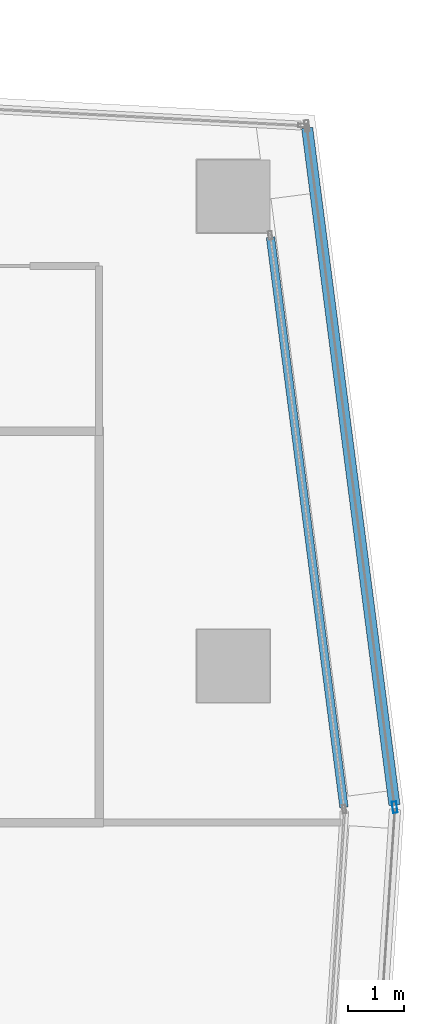
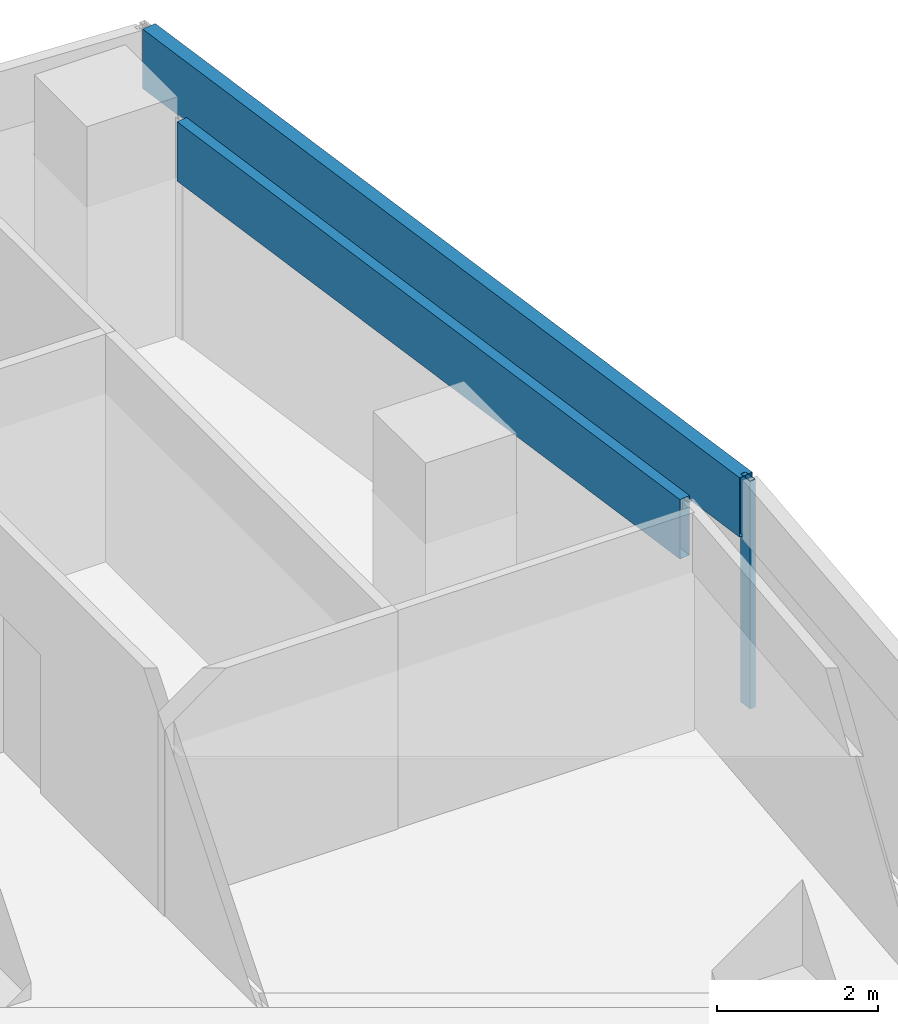
# One storey, part 14 of 30: 3 members, 2 elements without a shape of their own.
"""IFC4 building model written with IfcOpenShell, lengths in metres."""

import ifcopenshell
import ifcopenshell.guid

model = None  # the IFC model being written
_history = None  # IfcOwnerHistory: only IFC2X3 demands one
_inside = {}  # id of a spatial element -> (the spatial element, [elements in it])
_under = {}  # id of a project, library or spatial element -> (it, [spatial elements below it])
_declared = {}  # id of a project -> (the project, [libraries it declares])
_typed = {}  # id of a type object -> (the type object, [elements of that type])
_made_of = {}  # id of a material, layer set ... -> (it, [elements and type objects made of it])


def new_model(schema):
    """Start an empty IFC model of exactly this schema.

    Asked for "IFC4X3", IfcOpenShell would pick the latest addendum, in which some entities
    have other attributes; the version numbers below select the first issue.
    IFC2X3 requires an IfcOwnerHistory on every rooted entity: one is made here for all.
    """
    global model, _history
    if schema == "IFC4X3":
        model = ifcopenshell.file(schema_version=(4, 3, 0, 0))
    else:
        model = ifcopenshell.file(schema=schema)
    _inside.clear()
    _under.clear()
    _declared.clear()
    _typed.clear()
    _made_of.clear()
    _history = None
    if model.schema == "IFC2X3":
        org = make("IfcOrganization", Name="unknown")
        user = make(
            "IfcPersonAndOrganization",
            ThePerson=make("IfcPerson", FamilyName="unknown"),
            TheOrganization=org,
        )
        app = make(
            "IfcApplication",
            ApplicationDeveloper=org,
            Version="unknown",
            ApplicationFullName="unknown",
            ApplicationIdentifier="unknown",
        )
        _history = make(
            "IfcOwnerHistory",
            OwningUser=user,
            OwningApplication=app,
            ChangeAction="ADDED",
            CreationDate=0,
        )
    return model


def make(cls, **values):
    """One entity of the class cls with the attributes given. An attribute that is None is left unset."""
    return model.create_entity(
        cls, **{name: value for name, value in values.items() if value is not None}
    )


def rooted(cls, **values):
    """An entity with a GlobalId (a new one), such as an element, a storey or a relation."""
    return make(cls, GlobalId=ifcopenshell.guid.new(), OwnerHistory=_history, **values)


def si_unit(unit_type, name, prefix=None):
    """IfcSIUnit, for example si_unit("LENGTHUNIT", "METRE", prefix="MILLI")."""
    return make("IfcSIUnit", UnitType=unit_type, Prefix=prefix, Name=name)


def assignment(units):
    """IfcUnitAssignment: the units of a project."""
    return None if units is None else make("IfcUnitAssignment", Units=units)


def point(xyz):
    """IfcCartesianPoint."""
    return None if xyz is None else make("IfcCartesianPoint", Coordinates=xyz)


def direction(xyz):
    """IfcDirection."""
    return None if xyz is None else make("IfcDirection", DirectionRatios=xyz)


def frame(location, z_axis=None, x_axis=None):
    """IfcAxis2Placement3D, a coordinate frame: its origin and axes. An axis left out is left unset."""
    return make(
        "IfcAxis2Placement3D",
        Location=point(location),
        Axis=direction(z_axis),
        RefDirection=direction(x_axis),
    )


def frame_2d(location, x_axis=None):
    """IfcAxis2Placement2D, a coordinate frame in the plane: its origin and x axis."""
    return make(
        "IfcAxis2Placement2D", Location=point(location), RefDirection=direction(x_axis)
    )


def origin():
    """The frame at (0, 0, 0) with its axes left unset."""
    return frame((0.0, 0.0, 0.0))


def origin_2d():
    """The frame at (0, 0) in the plane with its x axis left unset."""
    return frame_2d((0.0, 0.0))


def place(relative_to, where):
    """IfcLocalPlacement: puts the frame where relative to a parent placement (None: the world)."""
    return make(
        "IfcLocalPlacement", PlacementRelTo=relative_to, RelativePlacement=where
    )


def context(
    kind, dimensions, precision=None, world=None, true_north=None, identifier=None
):
    """IfcGeometricRepresentationContext, for example the 3D "Model" context."""
    return make(
        "IfcGeometricRepresentationContext",
        ContextIdentifier=identifier,
        ContextType=kind,
        CoordinateSpaceDimension=dimensions,
        Precision=precision,
        WorldCoordinateSystem=world,
        TrueNorth=true_north,
    )


def subcontext(parent, identifier, kind, view, scale=None):
    """IfcGeometricRepresentationSubContext, for example "Body" below "Model"."""
    return make(
        "IfcGeometricRepresentationSubContext",
        ContextIdentifier=identifier,
        ContextType=kind,
        ParentContext=parent,
        TargetScale=scale,
        TargetView=view,
    )


def project(units=None, contexts=None):
    """IfcProject with its units and contexts."""
    return rooted(
        "IfcProject",
        Name="project",
        RepresentationContexts=contexts,
        UnitsInContext=assignment(units),
    )


def spatial(cls, under=None, at=None, **own):
    """A site, building, storey or space (cls), placed at a placement, below another one or the project."""
    s = rooted(cls, ObjectPlacement=at, **own)
    if under is not None:
        _under.setdefault(under.id(), (under, []))[1].append(s)
    return s


def profile(cls, at=None, kind="AREA", **sizes):
    """A parametric profile (cls). Its sizes go by their IFC names, for example OverallWidth=200.0."""
    return make(cls, ProfileType=kind, Position=at, **sizes)


def hollow_rectangle(**sizes):
    """IfcRectangleHollowProfileDef."""
    return profile("IfcRectangleHollowProfileDef", **sizes)


def extrude(swept, where, along, depth):
    """IfcExtrudedAreaSolid: the profile swept, set in the frame where, extruded along a direction by depth."""
    return make(
        "IfcExtrudedAreaSolid",
        SweptArea=swept,
        Position=where,
        ExtrudedDirection=direction(along),
        Depth=depth,
    )


def shape(context_of_items, identifier, shape_type, items):
    """IfcShapeRepresentation: the items that make up one representation, for example the "Body"."""
    return make(
        "IfcShapeRepresentation",
        ContextOfItems=context_of_items,
        RepresentationIdentifier=identifier,
        RepresentationType=shape_type,
        Items=items,
    )


def material(Name=None, Category=None):
    """IfcMaterial."""
    return make("IfcMaterial", Name=Name, Category=Category)


def material_profile(
    of_material, cross_section, Name=None, Category=None, Priority=None
):
    """IfcMaterialProfile: a cross section and its material."""
    return make(
        "IfcMaterialProfile",
        Name=Name,
        Material=of_material,
        Profile=cross_section,
        Priority=Priority,
        Category=Category,
    )


def profile_set(profiles, Name=None, composite=None):
    """IfcMaterialProfileSet."""
    return make(
        "IfcMaterialProfileSet",
        Name=Name,
        MaterialProfiles=profiles,
        CompositeProfile=composite,
    )


def made_of(thing, what):
    """Note that an element or type object is made of a material, layer set ...; save() writes the relation."""
    if what is not None:
        _made_of.setdefault(what.id(), (what, []))[1].append(thing)
    return thing


def type_object(cls, material=None, **own):
    """A type object (cls), such as IfcWallType, which elements share."""
    return made_of(rooted(cls, **own), material)


def element(
    cls,
    number,
    at=None,
    inside=None,
    cuts=None,
    type_object=None,
    material=None,
    context=None,
    identifier="Body",
    shape_type=None,
    held_by="IfcProductDefinitionShape",
    body=None,
    shapes=None,
    **own,
):
    """One element of the class cls, such as IfcWall. Its Tag is "e" and its number.

    at: its placement. inside: the storey or other place that contains it. cuts: it is an
    opening in that element (IfcRelVoidsElement). A single representation is given by context,
    identifier, shape_type and body (its items); several are given by shapes. held_by: the class
    of the entity that holds the representations. save() writes the other relations.
    """
    e = rooted(cls, Tag="e%d" % number, ObjectPlacement=at, **own)
    if body is not None:
        shapes = [shape(context, identifier, shape_type, body)]
    if shapes is not None:
        e.Representation = make(held_by, Representations=shapes)
    if inside is not None:
        _inside.setdefault(inside.id(), (inside, []))[1].append(e)
    if cuts is not None:
        rooted(
            "IfcRelVoidsElement", RelatingBuildingElement=cuts, RelatedOpeningElement=e
        )
    if type_object is not None:
        _typed.setdefault(type_object.id(), (type_object, []))[1].append(e)
    return made_of(e, material)


def aggregate(whole, parts):
    """IfcRelAggregates: a whole, such as a stair, and the parts it consists of."""
    return rooted("IfcRelAggregates", RelatingObject=whole, RelatedObjects=parts)


def save(model, path):
    """Write the relations noted so far, then the file.

    IfcRelAggregates (storeys below a building ...), IfcRelContainedInSpatialStructure (elements
    in a storey), IfcRelDefinesByType, IfcRelAssociatesMaterial and IfcRelDeclares: one each for
    every whole, place, type object, material and project.
    """
    for whole, parts in _under.values():
        aggregate(whole, parts)
    for where, things in _inside.values():
        rooted(
            "IfcRelContainedInSpatialStructure",
            RelatedElements=things,
            RelatingStructure=where,
        )
    for kind, things in _typed.values():
        rooted("IfcRelDefinesByType", RelatedObjects=things, RelatingType=kind)
    for what, things in _made_of.values():
        rooted("IfcRelAssociatesMaterial", RelatedObjects=things, RelatingMaterial=what)
    for by, libraries in _declared.values():
        rooted("IfcRelDeclares", RelatingContext=by, RelatedDefinitions=libraries)
    model.write(path)


model = new_model("IFC4")

# Units and contexts
model_context = context("Model", 3, precision=1e-05, world=origin(), true_north=direction((0.0, 1.0)))
body_context = subcontext(model_context, "Body", "Model", "MODEL_VIEW")
ifc_project = project(units=[si_unit("LENGTHUNIT", "METRE"), si_unit("AREAUNIT", "SQUARE_METRE"), si_unit("VOLUMEUNIT", "CUBIC_METRE"), si_unit("PLANEANGLEUNIT", "RADIAN"), si_unit("MASSUNIT", "GRAM", prefix="KILO")], contexts=[model_context])

# Site, building, storey
site_placement = place(None, origin())
site = spatial("IfcSite", under=ifc_project, at=site_placement, CompositionType="ELEMENT")
building_placement = place(site_placement, origin())
building = spatial("IfcBuilding", under=site, at=building_placement, Name="Rekha Terrace Tower", CompositionType="ELEMENT")
storey_placement = place(building_placement, frame((0.0, 0.0, 287.60009765625)))
storey = spatial("IfcBuildingStorey", under=building, at=storey_placement, Name="L73", CompositionType="ELEMENT", Elevation=287.60009765625)

# Curtain wall, member
ifc_material_1 = material(Name="Aluminium framing", Category="aluminium")
curtain_wall_type_1 = type_object("IfcCurtainWallType", Name="CW1 double skin inner glazing", PredefinedType="USERDEFINED", material=ifc_material_1)
curtain_wall_1_placement = place(storey_placement, origin())
curtain_wall_1 = element("IfcCurtainWall", 1, at=curtain_wall_1_placement, inside=storey, type_object=curtain_wall_type_1, Name="CW1 double skin inner glazing", ObjectType="DOUBLE SKIN INNER GLAZING", PredefinedType="USERDEFINED")
ifc_material_2 = material(Name="Insulated aluminium spandrel box", Category="aluminium")
ifc_material_profile_1 = material_profile(ifc_material_2, hollow_rectangle(XDim=0.14990234375, YDim=0.89990234375, WallThickness=0.0029296875, at=origin_2d()), Name="AL SPANDREL BOX 150x900")
ifc_profile_set_1 = profile_set([ifc_material_profile_1], Name="Insulated aluminium spandrel box")
member_type_1 = type_object("IfcMemberType", Name="CW1 spandrel transom 150 x 900", PredefinedType="USERDEFINED", material=ifc_profile_set_1)
member_1_placement = place(storey_placement, frame((60.777099609375, 39.471435546875, 3.0), z_axis=(-0.127854523912, 0.991792932378, 0.0), x_axis=(-0.991792932378, -0.127854523912, 0.0)))
member_1 = element("IfcMember", 2, at=member_1_placement, type_object=member_type_1, Name="CW1 spandrel transom 1", ObjectType="TRANSOM", PredefinedType="USERDEFINED", context=body_context, shape_type="SweptSolid", body=[
    extrude(hollow_rectangle(XDim=0.14990234375, YDim=0.89990234375, WallThickness=0.0029296875, at=origin_2d()), origin(), (0.0, 0.0, 1.0), 10.279052734375),
])
aggregate(curtain_wall_1, [member_1])

# Curtain wall, members
curtain_wall_type_2 = type_object("IfcCurtainWallType", Name="CW2 double skin outer glazing", PredefinedType="USERDEFINED", material=ifc_material_1)
curtain_wall_2_placement = place(storey_placement, origin())
curtain_wall_2 = element("IfcCurtainWall", 3, at=curtain_wall_2_placement, inside=storey, type_object=curtain_wall_type_2, Name="CW2 double skin outer glazing", ObjectType="DOUBLE SKIN OUTER GLAZING", PredefinedType="USERDEFINED")
ifc_material_3 = material(Name="Aluminium mullion section", Category="aluminium")
ifc_material_profile_2 = material_profile(ifc_material_3, hollow_rectangle(XDim=0.080078125, YDim=0.199951171875, WallThickness=0.00390625, at=origin_2d()), Name="AL RHS 80x200")
ifc_profile_set_2 = profile_set([ifc_material_profile_2], Name="Aluminium mullion section")
member_type_2 = type_object("IfcMemberType", Name="CW2 mullion RHS 80 x 200", PredefinedType="MULLION", material=ifc_profile_set_2)
member_2_placement = place(storey_placement, frame((61.68408203125, 39.474609375, 0.0), z_axis=(0.0, 0.0, 1.0), x_axis=(-0.991790949459, -0.12786990487, 0.0)))
member_2 = element("IfcMember", 4, at=member_2_placement, type_object=member_type_2, Name="CW2 mullion 1", PredefinedType="MULLION", context=body_context, shape_type="SweptSolid", body=[
    extrude(hollow_rectangle(XDim=0.080078125, YDim=0.199951171875, WallThickness=0.00390625, at=origin_2d()), origin(), (0.0, 0.0, 1.0), 3.449951171875),
])
ifc_material_profile_3 = material_profile(ifc_material_2, hollow_rectangle(XDim=0.199951171875, YDim=0.89990234375, WallThickness=0.0029296875, at=origin_2d()), Name="AL SPANDREL BOX 200x900")
ifc_profile_set_3 = profile_set([ifc_material_profile_3], Name="Insulated aluminium spandrel box")
member_type_3 = type_object("IfcMemberType", Name="CW2 spandrel transom 200 x 900", PredefinedType="USERDEFINED", material=ifc_profile_set_3)
member_3_placement = place(storey_placement, frame((61.67919921875, 39.514404296875, 3.0), z_axis=(-0.127874852181, 0.991790311598, 0.0), x_axis=(-0.991790311598, -0.127874852181, 0.0)))
member_3 = element("IfcMember", 5, at=member_3_placement, type_object=member_type_3, Name="CW2 spandrel transom 1", ObjectType="TRANSOM", PredefinedType="USERDEFINED", context=body_context, shape_type="SweptSolid", body=[
    extrude(hollow_rectangle(XDim=0.199951171875, YDim=0.89990234375, WallThickness=0.0029296875, at=origin_2d()), origin(), (0.0, 0.0, 1.0), 12.20361328125),
])
aggregate(curtain_wall_2, [member_2, member_3])

save(model, "model.ifc")
